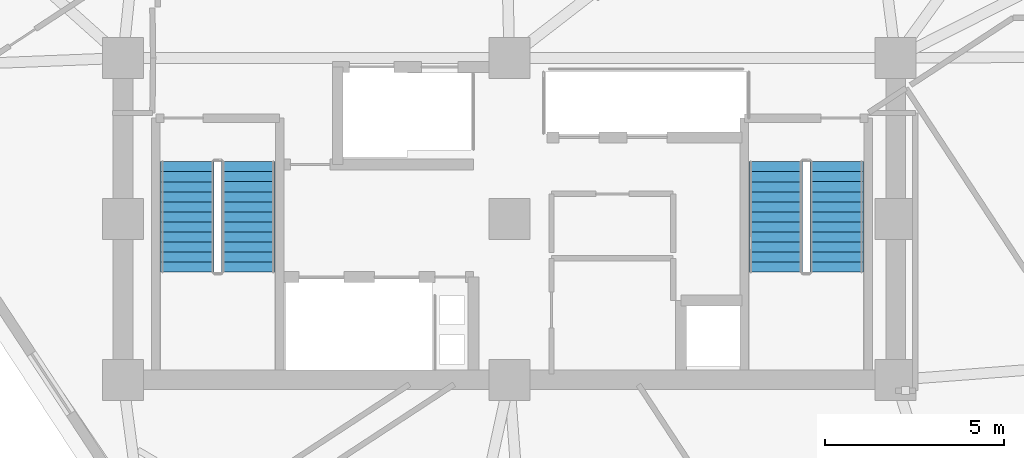
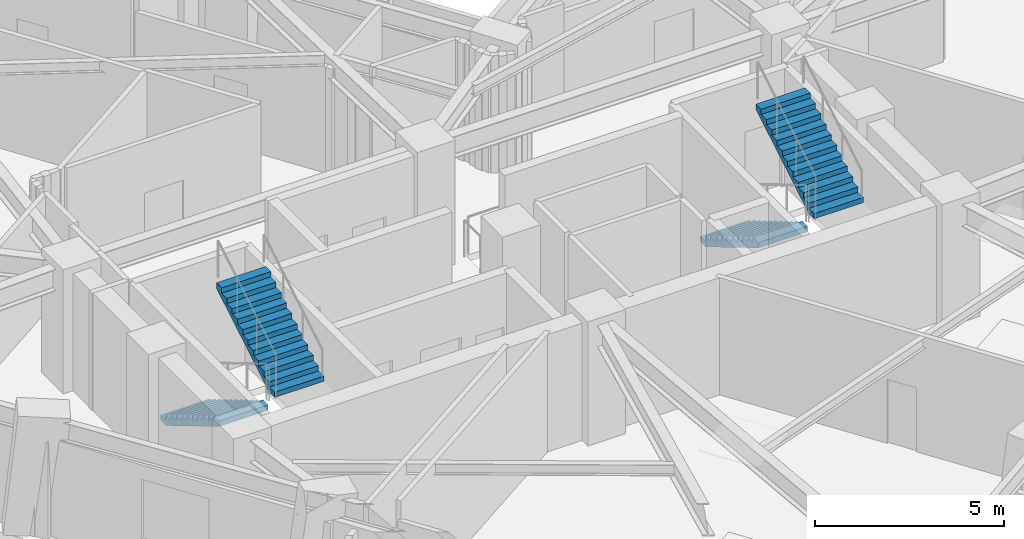
# One storey, part 9 of 14: 4 stair flights, 2 elements without a shape of their own.
"""IFC4 building model written with IfcOpenShell, lengths in metres."""

from ifc_helpers import new_model, si_unit, direction, frame, origin, place, context, subcontext, project, spatial, polyline, outline, extrude, material, type_object, element, aggregate, save


model = new_model("IFC4")

# Units and contexts
model_context = context("Model", 3, precision=1e-05, world=origin(), true_north=direction((0.0, 1.0)))
body_context = subcontext(model_context, "Body", "Model", "MODEL_VIEW")
ifc_project = project(units=[si_unit("LENGTHUNIT", "METRE"), si_unit("AREAUNIT", "SQUARE_METRE"), si_unit("VOLUMEUNIT", "CUBIC_METRE"), si_unit("PLANEANGLEUNIT", "RADIAN"), si_unit("MASSUNIT", "GRAM", prefix="KILO")], contexts=[model_context])

# Site, building, storey
site_placement = place(None, origin())
site = spatial("IfcSite", under=ifc_project, at=site_placement, CompositionType="ELEMENT")
building_placement = place(site_placement, origin())
building = spatial("IfcBuilding", under=site, at=building_placement, Name="Gaonmaruhae Medical Tower", CompositionType="ELEMENT")
storey_placement = place(building_placement, frame((0.0, 0.0, 165.800048828125)))
storey = spatial("IfcBuildingStorey", under=building, at=storey_placement, Name="L39", CompositionType="ELEMENT", Elevation=165.800048828125)

# Stair, stair flights
ifc_material = material(Name="Concrete C40/50", Category="concrete")
stair_type = type_object("IfcStairType", Name="ST-T1 Primary Core Escape Dogleg Stair", PredefinedType="TWO_QUARTER_TURN_STAIR", material=ifc_material)
stair_1_placement = place(storey_placement, origin())
stair_1 = element("IfcStair", 1, at=stair_1_placement, inside=storey, type_object=stair_type, Name="L39 Protected Escape Stair ST-01", PredefinedType="TWO_QUARTER_TURN_STAIR")
stair_flight_type = type_object("IfcStairFlightType", Name="SF-T1 Primary Core Precast Stair Flight", PredefinedType="STRAIGHT", material=ifc_material)
stair_flight_1_placement = place(storey_placement, frame((15.800048828125, 13.89990234375, 0.0), z_axis=(0.0, 0.0, 1.0), x_axis=(0.0, -1.0, 0.0)))
stair_flight_1 = element("IfcStairFlight", 2, at=stair_flight_1_placement, type_object=stair_flight_type, Name="ST-01 flight 1", NumberOfRisers=12, NumberOfTreads=11, PredefinedType="STRAIGHT", RiserHeight=0.166666667, TreadLength=0.28, context=body_context, shape_type="SweptSolid", body=[
    extrude(outline(polyline([(0.0, 0.0), (0.0, 0.166748046875), (0.280029296875, 0.166748046875), (0.280029296875, 0.333251953125), (0.56005859375, 0.333251953125), (0.56005859375, 0.5), (0.840087890625, 0.5), (0.840087890625, 0.666748046875), (1.1201171875, 0.666748046875), (1.1201171875, 0.833251953125), (1.39990234375, 0.833251953125), (1.39990234375, 1.0), (1.679931640625, 1.0), (1.679931640625, 1.166748046875), (1.9599609375, 1.166748046875), (1.9599609375, 1.333251953125), (2.239990234375, 1.333251953125), (2.239990234375, 1.5), (2.52001953125, 1.5), (2.52001953125, 1.666748046875), (2.800048828125, 1.666748046875), (2.800048828125, 1.833251953125), (3.080078125, 1.833251953125), (3.080078125, 2.0), (3.080078125, 1.658935546875), (0.29296875, 0.0), (0.0, 0.0)])), frame((0.0, 0.75, 0.0), z_axis=(0.0, -1.0, 0.0), x_axis=(1.0, 0.0, 0.0)), (0.0, 0.0, 1.0), 1.5),
])
stair_flight_2_placement = place(storey_placement, frame((17.5, 10.820068359375, 2.0), z_axis=(0.0, 0.0, 1.0), x_axis=(0.0, 1.0, 0.0)))
stair_flight_2 = element("IfcStairFlight", 3, at=stair_flight_2_placement, type_object=stair_flight_type, Name="ST-01 flight 2", NumberOfRisers=12, NumberOfTreads=11, PredefinedType="STRAIGHT", RiserHeight=0.166666667, TreadLength=0.28, context=body_context, shape_type="SweptSolid", body=[
    extrude(outline(polyline([(0.0, 0.0), (0.0, 0.166748046875), (0.280029296875, 0.166748046875), (0.280029296875, 0.333251953125), (0.56005859375, 0.333251953125), (0.56005859375, 0.5), (0.840087890625, 0.5), (0.840087890625, 0.666748046875), (1.1201171875, 0.666748046875), (1.1201171875, 0.833251953125), (1.39990234375, 0.833251953125), (1.39990234375, 1.0), (1.679931640625, 1.0), (1.679931640625, 1.166748046875), (1.9599609375, 1.166748046875), (1.9599609375, 1.333251953125), (2.239990234375, 1.333251953125), (2.239990234375, 1.5), (2.52001953125, 1.5), (2.52001953125, 1.666748046875), (2.800048828125, 1.666748046875), (2.800048828125, 1.833251953125), (3.080078125, 1.833251953125), (3.080078125, 2.0), (3.080078125, 1.658935546875), (0.29296875, 0.0), (0.0, 0.0)])), frame((0.0, 0.75, 0.0), z_axis=(0.0, -1.0, 0.0), x_axis=(1.0, 0.0, 0.0)), (0.0, 0.0, 1.0), 1.5),
])
aggregate(stair_1, [stair_flight_1, stair_flight_2])

stair_2_placement = place(storey_placement, origin())
stair_2 = element("IfcStair", 4, at=stair_2_placement, inside=storey, type_object=stair_type, Name="L39 Protected Escape Stair ST-02", PredefinedType="TWO_QUARTER_TURN_STAIR")
stair_flight_3_placement = place(storey_placement, frame((32.25, 13.89990234375, 0.0), z_axis=(0.0, 0.0, 1.0), x_axis=(0.0, -1.0, 0.0)))
stair_flight_3 = element("IfcStairFlight", 5, at=stair_flight_3_placement, type_object=stair_flight_type, Name="ST-02 flight 1", NumberOfRisers=12, NumberOfTreads=11, PredefinedType="STRAIGHT", RiserHeight=0.166666667, TreadLength=0.28, context=body_context, shape_type="SweptSolid", body=[
    extrude(outline(polyline([(0.0, 0.0), (0.0, 0.166748046875), (0.280029296875, 0.166748046875), (0.280029296875, 0.333251953125), (0.56005859375, 0.333251953125), (0.56005859375, 0.5), (0.840087890625, 0.5), (0.840087890625, 0.666748046875), (1.1201171875, 0.666748046875), (1.1201171875, 0.833251953125), (1.39990234375, 0.833251953125), (1.39990234375, 1.0), (1.679931640625, 1.0), (1.679931640625, 1.166748046875), (1.9599609375, 1.166748046875), (1.9599609375, 1.333251953125), (2.239990234375, 1.333251953125), (2.239990234375, 1.5), (2.52001953125, 1.5), (2.52001953125, 1.666748046875), (2.800048828125, 1.666748046875), (2.800048828125, 1.833251953125), (3.080078125, 1.833251953125), (3.080078125, 2.0), (3.080078125, 1.658935546875), (0.29296875, 0.0), (0.0, 0.0)])), frame((0.0, 0.75, 0.0), z_axis=(0.0, -1.0, 0.0), x_axis=(1.0, 0.0, 0.0)), (0.0, 0.0, 1.0), 1.5),
])
stair_flight_4_placement = place(storey_placement, frame((33.949951171875, 10.820068359375, 2.0), z_axis=(0.0, 0.0, 1.0), x_axis=(0.0, 1.0, 0.0)))
stair_flight_4 = element("IfcStairFlight", 6, at=stair_flight_4_placement, type_object=stair_flight_type, Name="ST-02 flight 2", NumberOfRisers=12, NumberOfTreads=11, PredefinedType="STRAIGHT", RiserHeight=0.166666667, TreadLength=0.28, context=body_context, shape_type="SweptSolid", body=[
    extrude(outline(polyline([(0.0, 0.0), (0.0, 0.166748046875), (0.280029296875, 0.166748046875), (0.280029296875, 0.333251953125), (0.56005859375, 0.333251953125), (0.56005859375, 0.5), (0.840087890625, 0.5), (0.840087890625, 0.666748046875), (1.1201171875, 0.666748046875), (1.1201171875, 0.833251953125), (1.39990234375, 0.833251953125), (1.39990234375, 1.0), (1.679931640625, 1.0), (1.679931640625, 1.166748046875), (1.9599609375, 1.166748046875), (1.9599609375, 1.333251953125), (2.239990234375, 1.333251953125), (2.239990234375, 1.5), (2.52001953125, 1.5), (2.52001953125, 1.666748046875), (2.800048828125, 1.666748046875), (2.800048828125, 1.833251953125), (3.080078125, 1.833251953125), (3.080078125, 2.0), (3.080078125, 1.658935546875), (0.29296875, 0.0), (0.0, 0.0)])), frame((0.0, 0.75, 0.0), z_axis=(0.0, -1.0, 0.0), x_axis=(1.0, 0.0, 0.0)), (0.0, 0.0, 1.0), 1.5),
])
aggregate(stair_2, [stair_flight_3, stair_flight_4])

save(model, "model.ifc")
